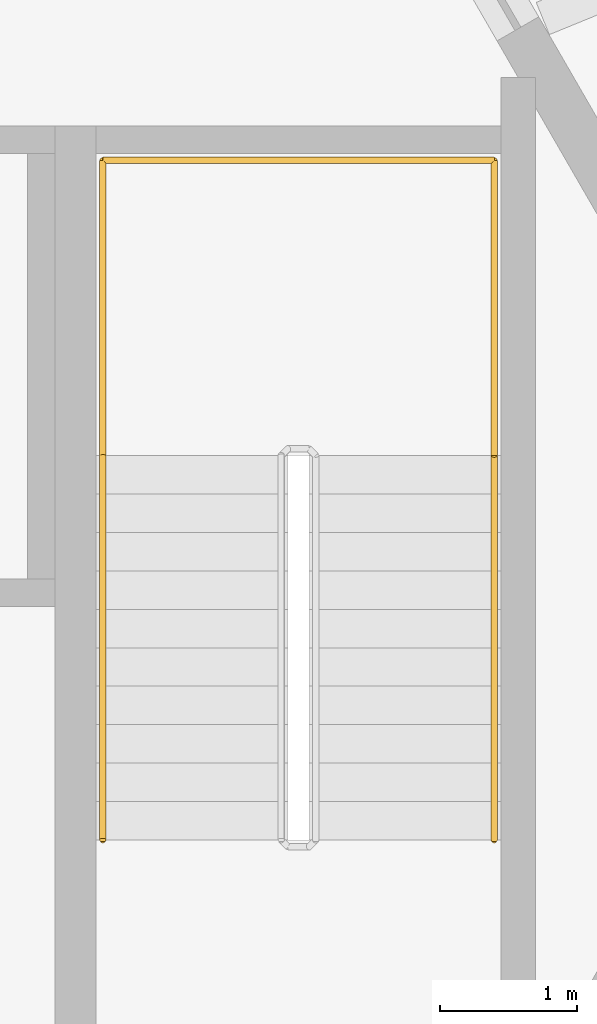
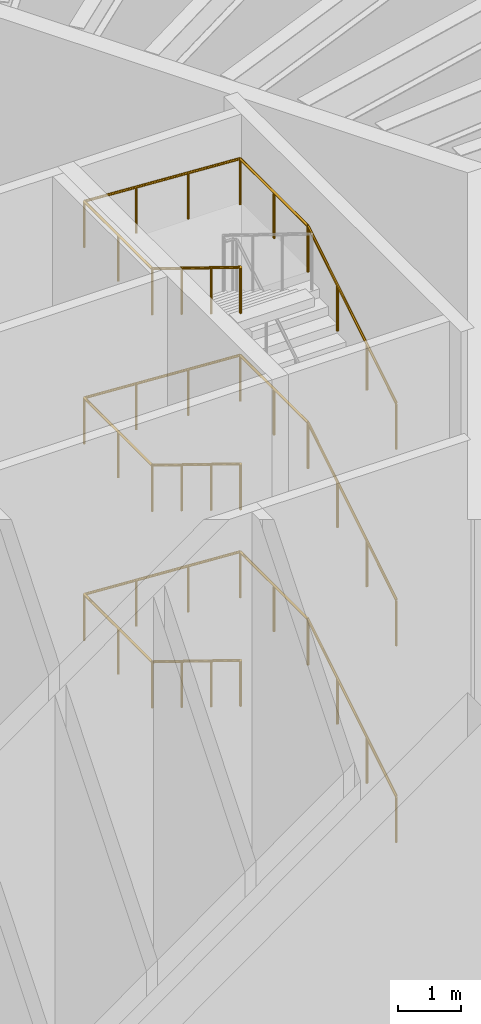
# One storey, part 17 of 17: 3 railings.
"""IFC4 building model written with IfcOpenShell, lengths in metres."""

from ifc_helpers import new_model, si_unit, direction, frame, origin, origin_2d, place, context, subcontext, project, spatial, circle, extrude, material, type_object, element, save


model = new_model("IFC4")

# Units and contexts
model_context = context("Model", 3, precision=1e-05, world=origin(), true_north=direction((0.0, 1.0)))
body_context = subcontext(model_context, "Body", "Model", "MODEL_VIEW")
ifc_project = project(units=[si_unit("LENGTHUNIT", "METRE"), si_unit("AREAUNIT", "SQUARE_METRE"), si_unit("VOLUMEUNIT", "CUBIC_METRE"), si_unit("PLANEANGLEUNIT", "RADIAN"), si_unit("MASSUNIT", "GRAM", prefix="KILO")], contexts=[model_context])

# Site, building, storey
site_placement = place(None, origin())
site = spatial("IfcSite", under=ifc_project, at=site_placement, CompositionType="ELEMENT")
building_placement = place(site_placement, origin())
building = spatial("IfcBuilding", under=site, at=building_placement, Name="Tarnside Tower", CompositionType="ELEMENT")
storey_placement = place(building_placement, frame((0.0, 0.0, 376.800048828125)))
storey = spatial("IfcBuildingStorey", under=building, at=storey_placement, Name="L91", CompositionType="ELEMENT", Elevation=376.800048828125)

# Railings
ifc_material = material(Name="Stainless steel", Category="steel")
railing_type = type_object("IfcRailingType", Name="Stair handrail 900", PredefinedType="HANDRAIL", material=ifc_material)
railing_1_placement = place(storey_placement, frame((8.800048828125, -1.800048828125, 0.172607421875)))
element("IfcRailing", 1, at=railing_1_placement, inside=storey, type_object=railing_type, Name="L91 ST1 stair handrail 1", PredefinedType="HANDRAIL", context=body_context, shape_type="SweptSolid", body=[
    extrude(circle(Radius=0.02392578125, at=origin_2d()), frame((0.0, 0.0, 0.8857421875), z_axis=(0.0, 0.851089632645, 0.525020415988), x_axis=(-1.0, 0.0, 0.0)), (0.0, 0.0, 1.0), 3.2900390625),
    extrude(circle(Radius=0.02392578125, at=origin_2d()), frame((0.0, 2.800048828125, 2.61328125), z_axis=(0.0, 1.0, 0.0), x_axis=(-1.0, 0.0, 0.0)), (0.0, 0.0, 1.0), 2.14990234375),
    extrude(circle(Radius=0.02392578125, at=origin_2d()), frame((0.0, 4.949951171875, 2.61328125), z_axis=(-0.998165992477, 0.0, 0.0605363648), x_axis=(0.0, -1.0, 0.0)), (0.0, 0.0, 1.0), 2.855224609375),
    extrude(circle(Radius=0.02392578125, at=origin_2d()), frame((-2.85009765625, 4.949951171875, 2.7861328125), z_axis=(0.0, -1.0, 0.0), x_axis=(1.0, 0.0, 0.0)), (0.0, 0.0, 1.0), 2.14990234375),
    extrude(circle(Radius=0.02392578125, at=origin_2d()), frame((-2.85009765625, 2.800048828125, 2.7861328125), z_axis=(0.0, -0.851089632645, 0.525020415988), x_axis=(1.0, 0.0, 0.0)), (0.0, 0.0, 1.0), 3.2900390625),
    extrude(circle(Radius=0.02099609375, at=origin_2d()), origin(), (0.0, 0.0, 1.0), 0.86181640625),
    extrude(circle(Radius=0.02099609375, at=origin_2d()), frame((0.0, 0.933349609375, 0.57568359375)), (0.0, 0.0, 1.0), 0.86181640625),
    extrude(circle(Radius=0.02099609375, at=origin_2d()), frame((0.0, 1.86669921875, 1.151611328125)), (0.0, 0.0, 1.0), 0.86181640625),
    extrude(circle(Radius=0.02099609375, at=origin_2d()), frame((0.0, 2.800048828125, 1.727294921875)), (0.0, 0.0, 1.0), 0.86181640625),
    extrude(circle(Radius=0.02099609375, at=origin_2d()), frame((0.0, 3.875, 1.727294921875)), (0.0, 0.0, 1.0), 0.86181640625),
    extrude(circle(Radius=0.02099609375, at=origin_2d()), frame((0.0, 4.949951171875, 1.727294921875)), (0.0, 0.0, 1.0), 0.86181640625),
    extrude(circle(Radius=0.02099609375, at=origin_2d()), frame((-0.949951171875, 4.949951171875, 1.784912109375)), (0.0, 0.0, 1.0), 0.86181640625),
    extrude(circle(Radius=0.02099609375, at=origin_2d()), frame((-1.900146484375, 4.949951171875, 1.842529296875)), (0.0, 0.0, 1.0), 0.86181640625),
    extrude(circle(Radius=0.02099609375, at=origin_2d()), frame((-2.85009765625, 4.949951171875, 1.900146484375)), (0.0, 0.0, 1.0), 0.86181640625),
    extrude(circle(Radius=0.02099609375, at=origin_2d()), frame((-2.85009765625, 3.875, 1.900146484375)), (0.0, 0.0, 1.0), 0.86181640625),
    extrude(circle(Radius=0.02099609375, at=origin_2d()), frame((-2.85009765625, 2.800048828125, 1.900146484375)), (0.0, 0.0, 1.0), 0.86181640625),
    extrude(circle(Radius=0.02099609375, at=origin_2d()), frame((-2.85009765625, 1.86669921875, 2.475830078125)), (0.0, 0.0, 1.0), 0.86181640625),
    extrude(circle(Radius=0.02099609375, at=origin_2d()), frame((-2.85009765625, 0.933349609375, 3.0517578125)), (0.0, 0.0, 1.0), 0.86181640625),
    extrude(circle(Radius=0.02099609375, at=origin_2d()), frame((-2.85009765625, 0.0, 3.62744140625)), (0.0, 0.0, 1.0), 0.86181640625),
])
railing_2_placement = place(storey_placement, frame((8.800048828125, -1.800048828125, 3.97265625)))
element("IfcRailing", 2, at=railing_2_placement, inside=storey, type_object=railing_type, Name="L91 ST1 stair handrail 2", PredefinedType="HANDRAIL", context=body_context, shape_type="SweptSolid", body=[
    extrude(circle(Radius=0.02392578125, at=origin_2d()), frame((0.0, 0.0, 0.8857421875), z_axis=(0.0, 0.851089632645, 0.525020415988), x_axis=(-1.0, 0.0, 0.0)), (0.0, 0.0, 1.0), 3.2900390625),
    extrude(circle(Radius=0.02392578125, at=origin_2d()), frame((0.0, 2.800048828125, 2.61328125), z_axis=(0.0, 1.0, 0.0), x_axis=(-1.0, 0.0, 0.0)), (0.0, 0.0, 1.0), 2.14990234375),
    extrude(circle(Radius=0.02392578125, at=origin_2d()), frame((0.0, 4.949951171875, 2.61328125), z_axis=(-0.998171155436, 0.0, 0.060451174139), x_axis=(0.0, -1.0, 0.0)), (0.0, 0.0, 1.0), 2.855224609375),
    extrude(circle(Radius=0.02392578125, at=origin_2d()), frame((-2.85009765625, 4.949951171875, 2.78564453125), z_axis=(0.0, -1.0, 0.0), x_axis=(1.0, 0.0, 0.0)), (0.0, 0.0, 1.0), 2.14990234375),
    extrude(circle(Radius=0.02392578125, at=origin_2d()), frame((-2.85009765625, 2.800048828125, 2.78564453125), z_axis=(0.0, -0.851089632645, 0.525020415988), x_axis=(1.0, 0.0, 0.0)), (0.0, 0.0, 1.0), 3.2900390625),
    extrude(circle(Radius=0.02099609375, at=origin_2d()), origin(), (0.0, 0.0, 1.0), 0.86181640625),
    extrude(circle(Radius=0.02099609375, at=origin_2d()), frame((0.0, 0.933349609375, 0.57568359375)), (0.0, 0.0, 1.0), 0.86181640625),
    extrude(circle(Radius=0.02099609375, at=origin_2d()), frame((0.0, 1.86669921875, 1.151611328125)), (0.0, 0.0, 1.0), 0.86181640625),
    extrude(circle(Radius=0.02099609375, at=origin_2d()), frame((0.0, 2.800048828125, 1.727294921875)), (0.0, 0.0, 1.0), 0.86181640625),
    extrude(circle(Radius=0.02099609375, at=origin_2d()), frame((0.0, 3.875, 1.727294921875)), (0.0, 0.0, 1.0), 0.86181640625),
    extrude(circle(Radius=0.02099609375, at=origin_2d()), frame((0.0, 4.949951171875, 1.727294921875)), (0.0, 0.0, 1.0), 0.86181640625),
    extrude(circle(Radius=0.02099609375, at=origin_2d()), frame((-0.949951171875, 4.949951171875, 1.784912109375)), (0.0, 0.0, 1.0), 0.86181640625),
    extrude(circle(Radius=0.02099609375, at=origin_2d()), frame((-1.900146484375, 4.949951171875, 1.84228515625)), (0.0, 0.0, 1.0), 0.86181640625),
    extrude(circle(Radius=0.02099609375, at=origin_2d()), frame((-2.85009765625, 4.949951171875, 1.89990234375)), (0.0, 0.0, 1.0), 0.86181640625),
    extrude(circle(Radius=0.02099609375, at=origin_2d()), frame((-2.85009765625, 3.875, 1.89990234375)), (0.0, 0.0, 1.0), 0.86181640625),
    extrude(circle(Radius=0.02099609375, at=origin_2d()), frame((-2.85009765625, 2.800048828125, 1.89990234375)), (0.0, 0.0, 1.0), 0.86181640625),
    extrude(circle(Radius=0.02099609375, at=origin_2d()), frame((-2.85009765625, 1.86669921875, 2.4755859375)), (0.0, 0.0, 1.0), 0.86181640625),
    extrude(circle(Radius=0.02099609375, at=origin_2d()), frame((-2.85009765625, 0.933349609375, 3.051513671875)), (0.0, 0.0, 1.0), 0.86181640625),
    extrude(circle(Radius=0.02099609375, at=origin_2d()), frame((-2.85009765625, 0.0, 3.627197265625)), (0.0, 0.0, 1.0), 0.86181640625),
])
railing_3_placement = place(storey_placement, frame((8.800048828125, -1.800048828125, 7.772705078125)))
element("IfcRailing", 3, at=railing_3_placement, inside=storey, type_object=railing_type, Name="L91 ST1 stair handrail 3", PredefinedType="HANDRAIL", context=body_context, shape_type="SweptSolid", body=[
    extrude(circle(Radius=0.02392578125, at=origin_2d()), frame((0.0, 0.0, 0.8857421875), z_axis=(0.0, 0.851089632645, 0.525020415988), x_axis=(-1.0, 0.0, 0.0)), (0.0, 0.0, 1.0), 3.2900390625),
    extrude(circle(Radius=0.02392578125, at=origin_2d()), frame((0.0, 2.800048828125, 2.61328125), z_axis=(0.0, 1.0, 0.0), x_axis=(-1.0, 0.0, 0.0)), (0.0, 0.0, 1.0), 2.14990234375),
    extrude(circle(Radius=0.02392578125, at=origin_2d()), frame((0.0, 4.949951171875, 2.61328125), z_axis=(-0.998171155436, 0.0, 0.060451174139), x_axis=(0.0, -1.0, 0.0)), (0.0, 0.0, 1.0), 2.855224609375),
    extrude(circle(Radius=0.02392578125, at=origin_2d()), frame((-2.85009765625, 4.949951171875, 2.78564453125), z_axis=(0.0, -1.0, 0.0), x_axis=(1.0, 0.0, 0.0)), (0.0, 0.0, 1.0), 2.14990234375),
    extrude(circle(Radius=0.02392578125, at=origin_2d()), frame((-2.85009765625, 2.800048828125, 2.78564453125), z_axis=(0.0, -0.851089632645, 0.525020415988), x_axis=(1.0, 0.0, 0.0)), (0.0, 0.0, 1.0), 3.2900390625),
    extrude(circle(Radius=0.02099609375, at=origin_2d()), origin(), (0.0, 0.0, 1.0), 0.86181640625),
    extrude(circle(Radius=0.02099609375, at=origin_2d()), frame((0.0, 0.933349609375, 0.57568359375)), (0.0, 0.0, 1.0), 0.86181640625),
    extrude(circle(Radius=0.02099609375, at=origin_2d()), frame((0.0, 1.86669921875, 1.151611328125)), (0.0, 0.0, 1.0), 0.86181640625),
    extrude(circle(Radius=0.02099609375, at=origin_2d()), frame((0.0, 2.800048828125, 1.727294921875)), (0.0, 0.0, 1.0), 0.86181640625),
    extrude(circle(Radius=0.02099609375, at=origin_2d()), frame((0.0, 3.875, 1.727294921875)), (0.0, 0.0, 1.0), 0.86181640625),
    extrude(circle(Radius=0.02099609375, at=origin_2d()), frame((0.0, 4.949951171875, 1.727294921875)), (0.0, 0.0, 1.0), 0.86181640625),
    extrude(circle(Radius=0.02099609375, at=origin_2d()), frame((-0.949951171875, 4.949951171875, 1.784912109375)), (0.0, 0.0, 1.0), 0.86181640625),
    extrude(circle(Radius=0.02099609375, at=origin_2d()), frame((-1.900146484375, 4.949951171875, 1.84228515625)), (0.0, 0.0, 1.0), 0.86181640625),
    extrude(circle(Radius=0.02099609375, at=origin_2d()), frame((-2.85009765625, 4.949951171875, 1.89990234375)), (0.0, 0.0, 1.0), 0.86181640625),
    extrude(circle(Radius=0.02099609375, at=origin_2d()), frame((-2.85009765625, 3.875, 1.89990234375)), (0.0, 0.0, 1.0), 0.86181640625),
    extrude(circle(Radius=0.02099609375, at=origin_2d()), frame((-2.85009765625, 2.800048828125, 1.89990234375)), (0.0, 0.0, 1.0), 0.86181640625),
    extrude(circle(Radius=0.02099609375, at=origin_2d()), frame((-2.85009765625, 1.86669921875, 2.4755859375)), (0.0, 0.0, 1.0), 0.86181640625),
    extrude(circle(Radius=0.02099609375, at=origin_2d()), frame((-2.85009765625, 0.933349609375, 3.051513671875)), (0.0, 0.0, 1.0), 0.86181640625),
    extrude(circle(Radius=0.02099609375, at=origin_2d()), frame((-2.85009765625, 0.0, 3.627197265625)), (0.0, 0.0, 1.0), 0.86181640625),
])

save(model, "model.ifc")
